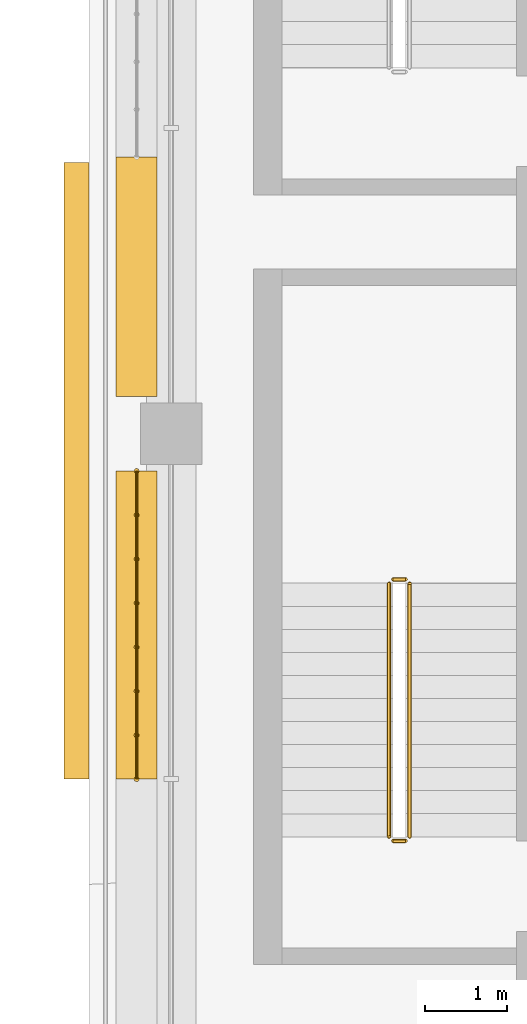
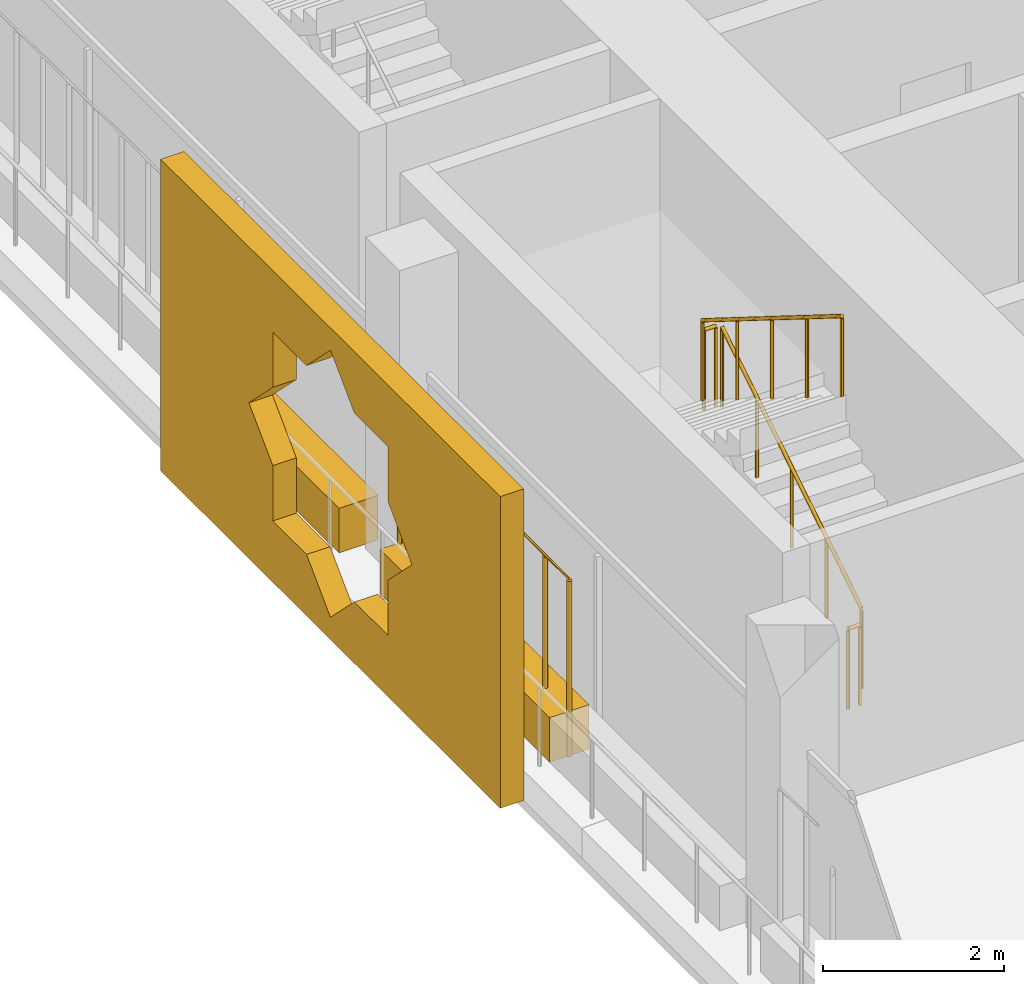
# One storey, part 17 of 21: 5 railings, 3 coverings.
"""IFC4 building model written with IfcOpenShell, lengths in metres."""

from ifc_helpers import new_model, si_unit, direction, frame, origin, origin_2d, place, context, subcontext, project, spatial, polyline, rectangle, circle, outline, extrude, material, material_profile, profile_set, type_object, element, save


model = new_model("IFC4")

# Units and contexts
model_context = context("Model", 3, precision=1e-05, world=origin(), true_north=direction((0.0, 1.0)))
body_context = subcontext(model_context, "Body", "Model", "MODEL_VIEW")
ifc_project = project(units=[si_unit("LENGTHUNIT", "METRE"), si_unit("AREAUNIT", "SQUARE_METRE"), si_unit("VOLUMEUNIT", "CUBIC_METRE"), si_unit("PLANEANGLEUNIT", "RADIAN"), si_unit("MASSUNIT", "GRAM", prefix="KILO")], contexts=[model_context])

# Site, building, storey
site_placement = place(None, origin())
site = spatial("IfcSite", under=ifc_project, at=site_placement, CompositionType="ELEMENT")
building_placement = place(site_placement, origin())
building = spatial("IfcBuilding", under=site, at=building_placement, Name="Kawkab Arch Medical Tower", CompositionType="ELEMENT")
storey_placement = place(building_placement, frame((0.0, 0.0, 302.800048828125)))
storey = spatial("IfcBuildingStorey", under=building, at=storey_placement, Name="L70", CompositionType="ELEMENT", Elevation=302.800048828125)

# Coverings
ifc_material_1 = material(Name="Bronze anodised aluminium mashrabiya panel, eight-point star pattern", Category="aluminium")
ifc_material_profile_1 = material_profile(ifc_material_1, outline(polyline([(-3.75, -2.10009765625), (3.75, -2.10009765625), (3.75, 2.10009765625), (-3.75, 2.10009765625), (-3.75, -2.10009765625)]), holes=[polyline([(1.800048828125, 0.0), (1.272705078125, 0.527099609375), (1.272705078125, 1.272705078125), (0.527099609375, 1.272705078125), (0.0, 1.800048828125), (-0.527099609375, 1.272705078125), (-1.272705078125, 1.272705078125), (-1.272705078125, 0.527099609375), (-1.800048828125, 0.0), (-1.272705078125, -0.527099609375), (-1.272705078125, -1.272705078125), (-0.527099609375, -1.272705078125), (0.0, -1.800048828125), (0.527099609375, -1.272705078125), (1.272705078125, -1.272705078125), (1.272705078125, -0.527099609375), (1.800048828125, 0.0)])]), Name="Mashrabiya panel 7500x4200")
ifc_profile_set_1 = profile_set([ifc_material_profile_1], Name="Bronze anodised aluminium mashrabiya panel, eight-point star pattern")
covering_type_1 = type_object("IfcCoveringType", Name="Mashrabiya panel 7500 x 4200", PredefinedType="USERDEFINED", material=ifc_profile_set_1)
covering_1_placement = place(storey_placement, frame((-1.0, -17.24951171875, 1.699951171875), z_axis=(-1.0, 0.0, 0.0), x_axis=(0.0, -1.0, 0.0)))
element("IfcCovering", 1, at=covering_1_placement, inside=storey, type_object=covering_type_1, Name="Mashrabiya panel L70.LOG-01-01.2", ObjectType="SCREEN", PredefinedType="USERDEFINED", context=body_context, shape_type="SweptSolid", body=[
    extrude(outline(polyline([(-3.75, -2.10009765625), (3.75, -2.10009765625), (3.75, 2.10009765625), (-3.75, 2.10009765625), (-3.75, -2.10009765625)]), holes=[polyline([(1.800048828125, 0.0), (1.272705078125, 0.527099609375), (1.272705078125, 1.272705078125), (0.527099609375, 1.272705078125), (0.0, 1.800048828125), (-0.527099609375, 1.272705078125), (-1.272705078125, 1.272705078125), (-1.272705078125, 0.527099609375), (-1.800048828125, 0.0), (-1.272705078125, -0.527099609375), (-1.272705078125, -1.272705078125), (-0.527099609375, -1.272705078125), (0.0, -1.800048828125), (0.527099609375, -1.272705078125), (1.272705078125, -1.272705078125), (1.272705078125, -0.527099609375), (1.800048828125, 0.0)])]), origin(), (0.0, 0.0, 1.0), 0.300048828125),
])
ifc_material_2 = material(Name="Planting soil in a precast trough", Category="concrete")
ifc_material_profile_2 = material_profile(ifc_material_2, rectangle(XDim=0.5, YDim=0.60009765625, at=origin_2d()), Name="Trough 500x600")
ifc_profile_set_2 = profile_set([ifc_material_profile_2], Name="Planting soil in a precast trough")
covering_type_2 = type_object("IfcCoveringType", Name="Planter trough 500 x 600", PredefinedType="USERDEFINED", material=ifc_profile_set_2)
covering_2_placement = place(storey_placement, frame((-0.419921875, -21.0, 0.300048828125), z_axis=(0.0, 1.0, 0.0), x_axis=(-1.0, 0.0, 0.0)))
element("IfcCovering", 2, at=covering_2_placement, inside=storey, type_object=covering_type_2, Name="Planter L70.LOG-01-01.7", ObjectType="PLANTER", PredefinedType="USERDEFINED", context=body_context, shape_type="SweptSolid", body=[
    extrude(rectangle(XDim=0.5, YDim=0.60009765625, at=origin_2d()), origin(), (0.0, 0.0, 1.0), 3.7470703125),
])
covering_3_placement = place(storey_placement, frame((-0.419921875, -16.346923828125, 0.300048828125), z_axis=(0.0, 1.0, 0.0), x_axis=(-1.0, 0.0, 0.0)))
element("IfcCovering", 3, at=covering_3_placement, inside=storey, type_object=covering_type_2, Name="Planter L70.LOG-01-01.8", ObjectType="PLANTER", PredefinedType="USERDEFINED", context=body_context, shape_type="SweptSolid", body=[
    extrude(rectangle(XDim=0.5, YDim=0.60009765625, at=origin_2d()), origin(), (0.0, 0.0, 1.0), 2.909912109375),
])

# Railings
ifc_material_3 = material(Name="Bronze anodised aluminium trellis for climbing plants", Category="aluminium")
railing_type_1 = type_object("IfcRailingType", Name="Planting trellis 2400", PredefinedType="USERDEFINED", material=ifc_material_3)
railing_1_placement = place(storey_placement, frame((-0.419921875, -21.0, 0.0)))
element("IfcRailing", 4, at=railing_1_placement, inside=storey, type_object=railing_type_1, Name="Planting trellis L70.LOG-01-01.7", ObjectType="TRELLIS", PredefinedType="USERDEFINED", context=body_context, shape_type="SweptSolid", body=[
    extrude(circle(Radius=0.01513671875, at=origin_2d()), frame((0.0, 0.0, 2.384765625), z_axis=(0.0, 1.0, 0.0), x_axis=(-1.0, 0.0, 0.0)), (0.0, 0.0, 1.0), 3.7470703125),
    extrude(circle(Radius=0.030029296875, at=origin_2d()), origin(), (0.0, 0.0, 1.0), 2.369873046875),
    extrude(circle(Radius=0.030029296875, at=origin_2d()), frame((0.0, 0.535400390625, 0.0)), (0.0, 0.0, 1.0), 2.369873046875),
    extrude(circle(Radius=0.030029296875, at=origin_2d()), frame((0.0, 1.070556640625, 0.0)), (0.0, 0.0, 1.0), 2.369873046875),
    extrude(circle(Radius=0.030029296875, at=origin_2d()), frame((0.0, 1.60595703125, 0.0)), (0.0, 0.0, 1.0), 2.369873046875),
    extrude(circle(Radius=0.030029296875, at=origin_2d()), frame((0.0, 2.14111328125, 0.0)), (0.0, 0.0, 1.0), 2.369873046875),
    extrude(circle(Radius=0.030029296875, at=origin_2d()), frame((0.0, 2.676513671875, 0.0)), (0.0, 0.0, 1.0), 2.369873046875),
    extrude(circle(Radius=0.030029296875, at=origin_2d()), frame((0.0, 3.211669921875, 0.0)), (0.0, 0.0, 1.0), 2.369873046875),
    extrude(circle(Radius=0.030029296875, at=origin_2d()), frame((0.0, 3.7470703125, 0.0)), (0.0, 0.0, 1.0), 2.369873046875),
])
ifc_material_4 = material(Name="Stainless steel", Category="steel")
railing_type_2 = type_object("IfcRailingType", Name="Stair guard 1100", PredefinedType="GUARDRAIL", material=ifc_material_4)
railing_2_placement = place(storey_placement, frame((2.89990234375, -21.699951171875, 0.175048828125)))
element("IfcRailing", 5, at=railing_2_placement, inside=storey, type_object=railing_type_2, Name="L70 ST2 stair guard 1", PredefinedType="GUARDRAIL", context=body_context, shape_type="SweptSolid", body=[
    extrude(circle(Radius=0.02392578125, at=origin_2d()), frame((0.0, 0.0, 1.076171875), z_axis=(0.0, 0.848009633417, 0.529980812513), x_axis=(-1.0, 0.0, 0.0)), (0.0, 0.0, 1.0), 3.6318359375),
    extrude(circle(Radius=0.02099609375, at=origin_2d()), origin(), (0.0, 0.0, 1.0), 1.052001953125),
    extrude(circle(Radius=0.02099609375, at=origin_2d()), frame((0.0, 0.77001953125, 0.481201171875)), (0.0, 0.0, 1.0), 1.052001953125),
    extrude(circle(Radius=0.02099609375, at=origin_2d()), frame((0.0, 1.5400390625, 0.96240234375)), (0.0, 0.0, 1.0), 1.052001953125),
    extrude(circle(Radius=0.02099609375, at=origin_2d()), frame((0.0, 2.309814453125, 1.443603515625)), (0.0, 0.0, 1.0), 1.052001953125),
    extrude(circle(Radius=0.02099609375, at=origin_2d()), frame((0.0, 3.079833984375, 1.9248046875)), (0.0, 0.0, 1.0), 1.052001953125),
])
railing_3_placement = place(storey_placement, frame((2.85009765625, -18.570068359375, 2.099853515625)))
element("IfcRailing", 6, at=railing_3_placement, inside=storey, type_object=railing_type_2, Name="L70 ST2 stair guard 2", PredefinedType="GUARDRAIL", context=body_context, shape_type="SweptSolid", body=[
    extrude(circle(Radius=0.02392578125, at=origin_2d()), frame((0.0, 0.0, 1.076171875), z_axis=(-1.0, 0.0, 0.0), x_axis=(0.0, -1.0, 0.0)), (0.0, 0.0, 1.0), 0.150146484375),
    extrude(circle(Radius=0.02099609375, at=origin_2d()), origin(), (0.0, 0.0, 1.0), 1.052001953125),
    extrude(circle(Radius=0.02099609375, at=origin_2d()), frame((-0.150146484375, 0.0, 0.0)), (0.0, 0.0, 1.0), 1.052001953125),
])
railing_4_placement = place(storey_placement, frame((2.64990234375, -18.6201171875, 2.27490234375)))
element("IfcRailing", 7, at=railing_4_placement, inside=storey, type_object=railing_type_2, Name="L70 ST2 stair guard 3", PredefinedType="GUARDRAIL", context=body_context, shape_type="SweptSolid", body=[
    extrude(circle(Radius=0.02392578125, at=origin_2d()), frame((0.0, 0.0, 1.076171875), z_axis=(0.0, -0.847979421464, 0.530029150871), x_axis=(1.0, 0.0, 0.0)), (0.0, 0.0, 1.0), 3.632080078125),
    extrude(circle(Radius=0.02099609375, at=origin_2d()), origin(), (0.0, 0.0, 1.0), 1.052001953125),
    extrude(circle(Radius=0.02099609375, at=origin_2d()), frame((0.0, -0.77001953125, 0.481201171875)), (0.0, 0.0, 1.0), 1.052001953125),
    extrude(circle(Radius=0.02099609375, at=origin_2d()), frame((0.0, -1.5400390625, 0.96240234375)), (0.0, 0.0, 1.0), 1.052001953125),
    extrude(circle(Radius=0.02099609375, at=origin_2d()), frame((0.0, -2.309814453125, 1.44384765625)), (0.0, 0.0, 1.0), 1.052001953125),
    extrude(circle(Radius=0.02099609375, at=origin_2d()), frame((0.0, -3.079833984375, 1.925048828125)), (0.0, 0.0, 1.0), 1.052001953125),
])
railing_5_placement = place(storey_placement, frame((2.85009765625, -21.75, 0.0)))
element("IfcRailing", 8, at=railing_5_placement, inside=storey, type_object=railing_type_2, Name="L70 ST2 stair guard 4", PredefinedType="GUARDRAIL", context=body_context, shape_type="SweptSolid", body=[
    extrude(circle(Radius=0.02392578125, at=origin_2d()), frame((0.0, 0.0, 1.076171875), z_axis=(-1.0, 0.0, 0.0), x_axis=(0.0, -1.0, 0.0)), (0.0, 0.0, 1.0), 0.150146484375),
    extrude(circle(Radius=0.02099609375, at=origin_2d()), origin(), (0.0, 0.0, 1.0), 1.052001953125),
    extrude(circle(Radius=0.02099609375, at=origin_2d()), frame((-0.150146484375, 0.0, 0.0)), (0.0, 0.0, 1.0), 1.052001953125),
])

save(model, "model.ifc")
